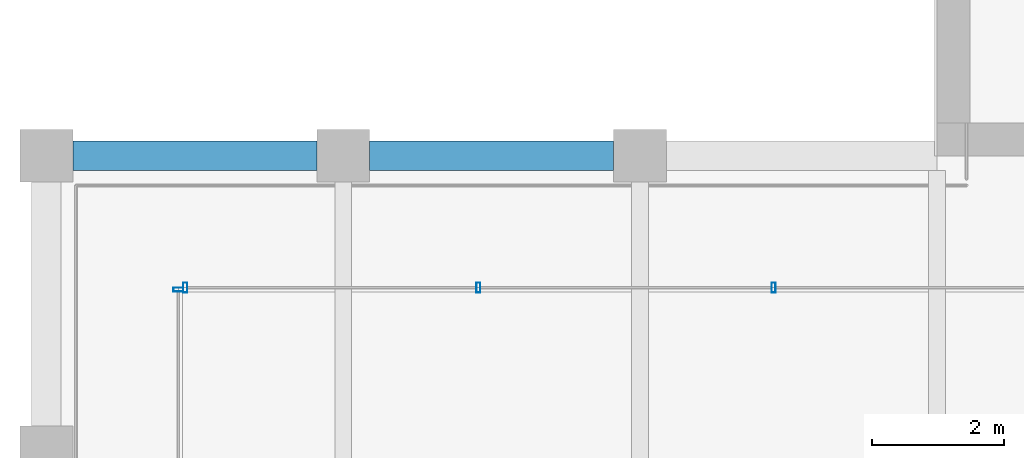
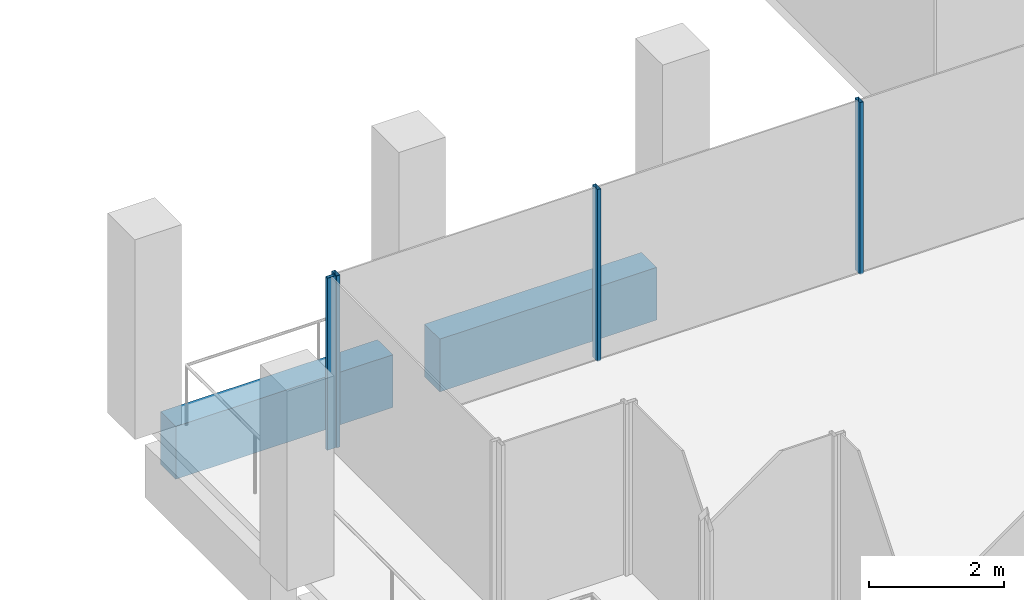
# One storey, part 5 of 30: 4 members, 2 beams, 2 elements without a shape of their own.
"""IFC4 building model written with IfcOpenShell, lengths in metres."""

from ifc_helpers import new_model, si_unit, direction, frame, origin, origin_2d, place, context, subcontext, project, spatial, rectangle, hollow_rectangle, extrude, material, material_profile, profile_set, type_object, element, aggregate, save


model = new_model("IFC4")

# Units and contexts
model_context = context("Model", 3, precision=1e-05, world=origin(), true_north=direction((0.0, 1.0)))
body_context = subcontext(model_context, "Body", "Model", "MODEL_VIEW")
ifc_project = project(units=[si_unit("LENGTHUNIT", "METRE"), si_unit("AREAUNIT", "SQUARE_METRE"), si_unit("VOLUMEUNIT", "CUBIC_METRE"), si_unit("PLANEANGLEUNIT", "RADIAN"), si_unit("MASSUNIT", "GRAM", prefix="KILO")], contexts=[model_context])

# Site, building, storey
site_placement = place(None, origin())
site = spatial("IfcSite", under=ifc_project, at=site_placement, CompositionType="ELEMENT")
building_placement = place(site_placement, origin())
building = spatial("IfcBuilding", under=site, at=building_placement, Name="Altepetl Exchange Towers", CompositionType="ELEMENT")
storey_placement = place(building_placement, frame((0.0, 0.0, 220.800048828125)))
storey = spatial("IfcBuildingStorey", under=building, at=storey_placement, Name="L56", CompositionType="ELEMENT", Elevation=220.800048828125)

# Curtain wall, members
ifc_material_1 = material(Name="Aluminium 6063-T6 glazing", Category="aluminium")
curtain_wall_type = type_object("IfcCurtainWallType", Name="Loggia glazing system", PredefinedType="NOTDEFINED", material=ifc_material_1)
curtain_wall_1_placement = place(storey_placement, origin())
curtain_wall_1 = element("IfcCurtainWall", 1, at=curtain_wall_1_placement, inside=storey, type_object=curtain_wall_type, Name="CW1 run", PredefinedType="NOTDEFINED")
ifc_material_2 = material(Name="Aluminium 6063-T6", Category="aluminium")
ifc_material_profile_1 = material_profile(ifc_material_2, hollow_rectangle(XDim=0.06005859375, YDim=0.14990234375, WallThickness=0.0029296875, at=origin_2d()), Name="Mullion 60x150 aluminium")
ifc_profile_set_1 = profile_set([ifc_material_profile_1], Name="Aluminium 6063-T6")
member_type = type_object("IfcMemberType", Name="Mullion 60x150 aluminium", PredefinedType="MULLION", material=ifc_profile_set_1)
member_1_placement = place(storey_placement, frame((38.02490234375, 38.5, 0.0), z_axis=(0.0, 0.0, 1.0), x_axis=(-1.0, 0.0, 0.0)))
member_1 = element("IfcMember", 2, at=member_1_placement, type_object=member_type, Name="MU1 mullion", PredefinedType="MULLION", context=body_context, shape_type="SweptSolid", body=[
    extrude(hollow_rectangle(XDim=0.06005859375, YDim=0.14990234375, WallThickness=0.0029296875, at=origin_2d()), origin(), (0.0, 0.0, 1.0), 3.099853515625),
])
member_2_placement = place(storey_placement, frame((33.550048828125, 38.5, 0.0), z_axis=(0.0, 0.0, 1.0), x_axis=(-1.0, 0.0, 0.0)))
member_2 = element("IfcMember", 3, at=member_2_placement, type_object=member_type, Name="MU1 mullion", PredefinedType="MULLION", context=body_context, shape_type="SweptSolid", body=[
    extrude(hollow_rectangle(XDim=0.06005859375, YDim=0.14990234375, WallThickness=0.0029296875, at=origin_2d()), origin(), (0.0, 0.0, 1.0), 3.099853515625),
])
member_3_placement = place(storey_placement, frame((29.10498046875, 38.5, 0.0), z_axis=(0.0, 0.0, 1.0), x_axis=(-1.0, 0.0, 0.0)))
member_3 = element("IfcMember", 4, at=member_3_placement, type_object=member_type, Name="MU1 mullion", PredefinedType="MULLION", context=body_context, shape_type="SweptSolid", body=[
    extrude(hollow_rectangle(XDim=0.06005859375, YDim=0.14990234375, WallThickness=0.0029296875, at=origin_2d()), origin(), (0.0, 0.0, 1.0), 3.099853515625),
])
aggregate(curtain_wall_1, [member_1, member_2, member_3])

# Curtain wall, member
curtain_wall_2_placement = place(storey_placement, origin())
curtain_wall_2 = element("IfcCurtainWall", 5, at=curtain_wall_2_placement, inside=storey, type_object=curtain_wall_type, Name="CW1 run", PredefinedType="NOTDEFINED")
member_4_placement = place(storey_placement, frame((29.0, 38.469970703125, 0.0), z_axis=(0.0, 0.0, 1.0), x_axis=(0.0, -1.0, 0.0)))
member_4 = element("IfcMember", 6, at=member_4_placement, type_object=member_type, Name="MU1 mullion", PredefinedType="MULLION", context=body_context, shape_type="SweptSolid", body=[
    extrude(hollow_rectangle(XDim=0.06005859375, YDim=0.14990234375, WallThickness=0.0029296875, at=origin_2d()), origin(), (0.0, 0.0, 1.0), 3.099853515625),
])
aggregate(curtain_wall_2, [member_4])

# Beams
ifc_material_3 = material(Name="Concrete C50/60 precast with tezontle facing", Category="concrete")
ifc_material_profile_2 = material_profile(ifc_material_3, rectangle(XDim=0.449951171875, YDim=0.949951171875, at=origin_2d()), Name="450 x 950")
ifc_profile_set_2 = profile_set([ifc_material_profile_2], Name="Concrete C50/60 precast with tezontle facing")
beam_type = type_object("IfcBeamType", Name="Spandrel beam 450x950 tezontle", PredefinedType="SPANDREL", material=ifc_profile_set_2)
for number, where, z_axis, x_axis, name in (
    (7, (35.60009765625, 40.5, -0.625), (-1.0, 0.0, 0.0), (0.0, -1.0, 0.0), "sp:A:L56:034"),
    (8, (31.10009765625, 40.5, -0.625), (-1.0, 0.0, 0.0), (0.0, -1.0, 0.0), "sp:A:L56:035"),
):
    element("IfcBeam", number, at=place(storey_placement, frame(where, z_axis=z_axis, x_axis=x_axis)), inside=storey, type_object=beam_type, Name=name, PredefinedType="SPANDREL", context=body_context, shape_type="SweptSolid", body=[
        extrude(rectangle(XDim=0.449951171875, YDim=0.949951171875, at=origin_2d()), origin(), (0.0, 0.0, 1.0), 3.7001953125),
    ])

save(model, "model.ifc")
